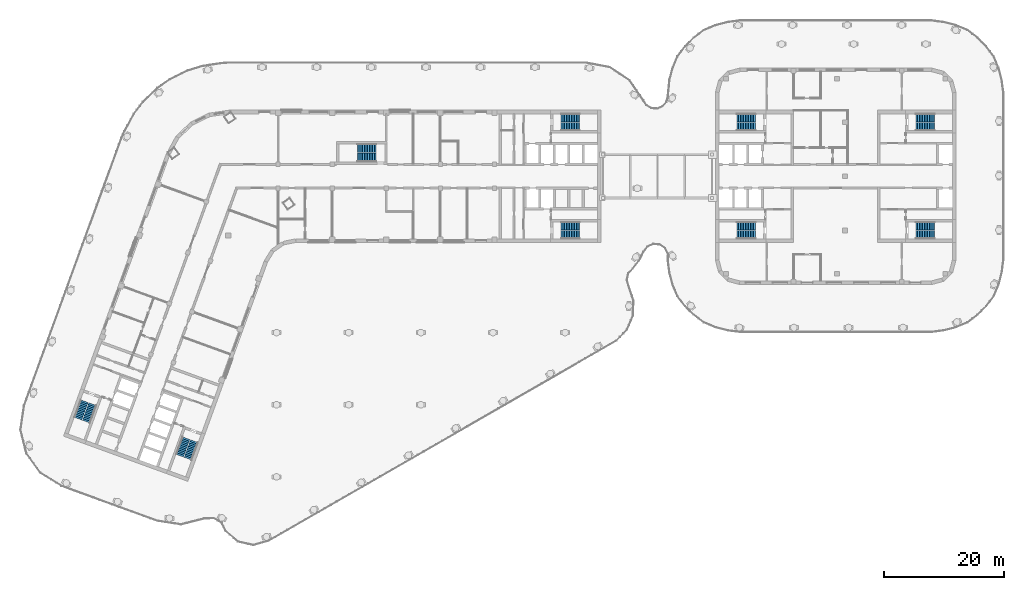
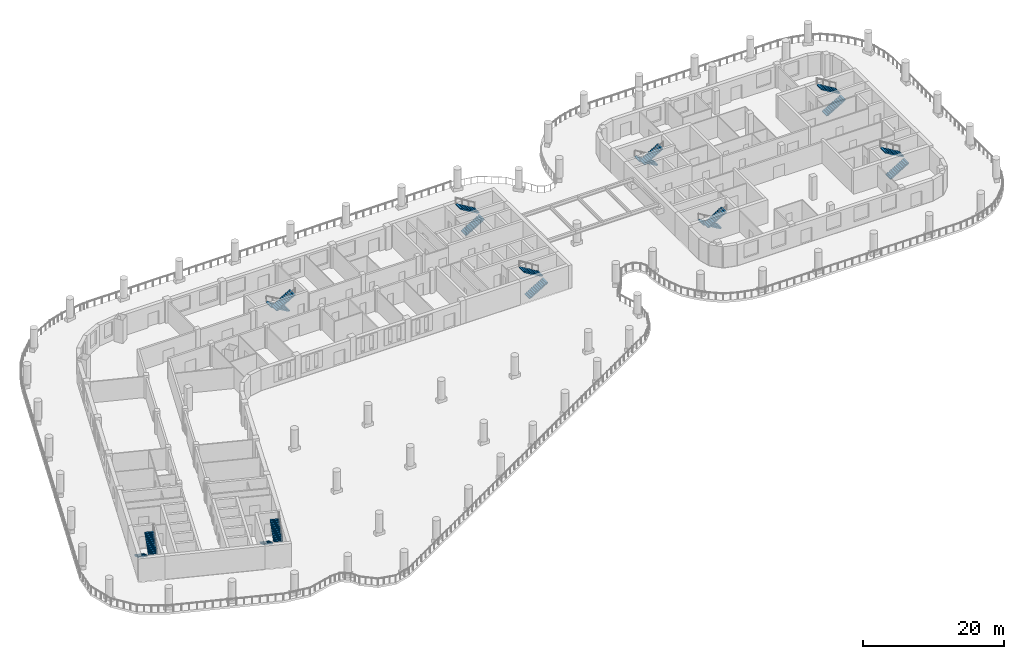
# One storey, part 12 of 18: 18 stair flights, 9 elements without a shape of their own.
"""IFC4 building model written with IfcOpenShell, lengths in metres."""

from ifc_helpers import new_model, si_unit, direction, frame, origin, place, context, subcontext, project, spatial, polyline, outline, extrude, material, type_object, element, aggregate, save


model = new_model("IFC4")

# Units and contexts
model_context = context("Model", 3, precision=1e-05, world=origin(), true_north=direction((0.0, 1.0)))
body_context = subcontext(model_context, "Body", "Model", "MODEL_VIEW")
ifc_project = project(units=[si_unit("LENGTHUNIT", "METRE"), si_unit("AREAUNIT", "SQUARE_METRE"), si_unit("VOLUMEUNIT", "CUBIC_METRE"), si_unit("PLANEANGLEUNIT", "RADIAN"), si_unit("MASSUNIT", "GRAM", prefix="KILO")], contexts=[model_context])

# Site, building, storey
site_placement = place(None, origin())
site = spatial("IfcSite", under=ifc_project, at=site_placement, CompositionType="ELEMENT")
building_placement = place(site_placement, origin())
building = spatial("IfcBuilding", under=site, at=building_placement, Name="Skarvind Civic Tower", CompositionType="ELEMENT")
storey_placement = place(building_placement, frame((0.0, 0.0, 27.5)))
storey = spatial("IfcBuildingStorey", under=building, at=storey_placement, Name="L05", CompositionType="ELEMENT", Elevation=27.5)

# Stair, stair flights
ifc_material = material(Name="Concrete C40/50", Category="concrete")
stair_type_1 = type_object("IfcStairType", Name="Exit stair 1450, half-turn, concrete", PredefinedType="HALF_TURN_STAIR", material=ifc_material)
stair_1_placement = place(storey_placement, origin())
stair_1 = element("IfcStair", 1, at=stair_1_placement, inside=storey, type_object=stair_type_1, Name="Exit stair CM", PredefinedType="HALF_TURN_STAIR")
stair_flight_type_1 = type_object("IfcStairFlightType", Name="Stair flight 1450, concrete", PredefinedType="STRAIGHT", material=ifc_material)
stair_flight_1_placement = place(storey_placement, frame((70.550048828125, 132.675048828125, 0.0), z_axis=(0.0, 0.0, 1.0), x_axis=(-1.0, 0.0, 0.0)))
stair_flight_1 = element("IfcStairFlight", 2, at=stair_flight_1_placement, type_object=stair_flight_type_1, Name="ST-CM flight 1", NumberOfRisers=12, NumberOfTreads=11, PredefinedType="STRAIGHT", RiserHeight=0.166666667, TreadLength=0.28, context=body_context, shape_type="SweptSolid", body=[
    extrude(outline(polyline([(0.0, 0.0), (0.0, 0.166748046875), (0.280029296875, 0.166748046875), (0.280029296875, 0.333251953125), (0.56005859375, 0.333251953125), (0.56005859375, 0.5), (0.840087890625, 0.5), (0.840087890625, 0.666748046875), (1.1201171875, 0.666748046875), (1.1201171875, 0.833251953125), (1.39990234375, 0.833251953125), (1.39990234375, 1.0), (1.679931640625, 1.0), (1.679931640625, 1.166748046875), (1.9599609375, 1.166748046875), (1.9599609375, 1.333251953125), (2.239990234375, 1.333251953125), (2.239990234375, 1.5), (2.52001953125, 1.5), (2.52001953125, 1.666748046875), (2.800048828125, 1.666748046875), (2.800048828125, 1.833251953125), (3.080078125, 1.833251953125), (3.080078125, 2.0), (3.080078125, 1.658935546875), (0.29296875, 0.0), (0.0, 0.0)])), frame((0.0, 0.72509765625, 0.0), z_axis=(0.0, -1.0, 0.0), x_axis=(1.0, 0.0, 0.0)), (0.0, 0.0, 1.0), 1.449951171875),
])
stair_flight_2_placement = place(storey_placement, frame((67.469970703125, 131.125, 2.0), z_axis=(0.0, 0.0, 1.0), x_axis=(1.0, 0.0, 0.0)))
stair_flight_2 = element("IfcStairFlight", 3, at=stair_flight_2_placement, type_object=stair_flight_type_1, Name="ST-CM flight 2", NumberOfRisers=12, NumberOfTreads=11, PredefinedType="STRAIGHT", RiserHeight=0.166666667, TreadLength=0.28, context=body_context, shape_type="SweptSolid", body=[
    extrude(outline(polyline([(0.0, 0.0), (0.0, 0.166748046875), (0.280029296875, 0.166748046875), (0.280029296875, 0.333251953125), (0.56005859375, 0.333251953125), (0.56005859375, 0.5), (0.840087890625, 0.5), (0.840087890625, 0.666748046875), (1.1201171875, 0.666748046875), (1.1201171875, 0.833251953125), (1.39990234375, 0.833251953125), (1.39990234375, 1.0), (1.679931640625, 1.0), (1.679931640625, 1.166748046875), (1.9599609375, 1.166748046875), (1.9599609375, 1.333251953125), (2.239990234375, 1.333251953125), (2.239990234375, 1.5), (2.52001953125, 1.5), (2.52001953125, 1.666748046875), (2.800048828125, 1.666748046875), (2.800048828125, 1.833251953125), (3.080078125, 1.833251953125), (3.080078125, 2.0), (3.080078125, 1.658935546875), (0.29296875, 0.0), (0.0, 0.0)])), frame((0.0, 0.72509765625, 0.0), z_axis=(0.0, -1.0, 0.0), x_axis=(1.0, 0.0, 0.0)), (0.0, 0.0, 1.0), 1.449951171875),
])
aggregate(stair_1, [stair_flight_1, stair_flight_2])

stair_type_2 = type_object("IfcStairType", Name="Exit stair, half-turn, concrete", PredefinedType="HALF_TURN_STAIR", material=ifc_material)
stair_2_placement = place(storey_placement, origin())
stair_2 = element("IfcStair", 4, at=stair_2_placement, inside=storey, type_object=stair_type_2, Name="Exit stair C1S", PredefinedType="HALF_TURN_STAIR")
stair_flight_type_2 = type_object("IfcStairFlightType", Name="Stair flight, concrete", PredefinedType="STRAIGHT", material=ifc_material)
stair_flight_3_placement = place(storey_placement, frame((101.35009765625, 136.27490234375, 0.0), z_axis=(0.0, 0.0, 1.0), x_axis=(1.0, 0.0, 0.0)))
stair_flight_3 = element("IfcStairFlight", 5, at=stair_flight_3_placement, type_object=stair_flight_type_2, Name="ST-C1S flight 1", NumberOfRisers=12, NumberOfTreads=11, PredefinedType="STRAIGHT", RiserHeight=0.166666667, TreadLength=0.28, context=body_context, shape_type="SweptSolid", body=[
    extrude(outline(polyline([(0.0, 0.0), (0.0, 0.166748046875), (0.280029296875, 0.166748046875), (0.280029296875, 0.333251953125), (0.56005859375, 0.333251953125), (0.56005859375, 0.5), (0.840087890625, 0.5), (0.840087890625, 0.666748046875), (1.1201171875, 0.666748046875), (1.1201171875, 0.833251953125), (1.39990234375, 0.833251953125), (1.39990234375, 1.0), (1.679931640625, 1.0), (1.679931640625, 1.166748046875), (1.9599609375, 1.166748046875), (1.9599609375, 1.333251953125), (2.239990234375, 1.333251953125), (2.239990234375, 1.5), (2.52001953125, 1.5), (2.52001953125, 1.666748046875), (2.800048828125, 1.666748046875), (2.800048828125, 1.833251953125), (3.080078125, 1.833251953125), (3.080078125, 2.0), (3.080078125, 1.658935546875), (0.29296875, 0.0), (0.0, 0.0)])), frame((0.0, 0.675048828125, 0.0), z_axis=(0.0, -1.0, 0.0), x_axis=(1.0, 0.0, 0.0)), (0.0, 0.0, 1.0), 1.35009765625),
])
stair_flight_4_placement = place(storey_placement, frame((104.429931640625, 137.72509765625, 2.0), z_axis=(0.0, 0.0, 1.0), x_axis=(-1.0, 0.0, 0.0)))
stair_flight_4 = element("IfcStairFlight", 6, at=stair_flight_4_placement, type_object=stair_flight_type_2, Name="ST-C1S flight 2", NumberOfRisers=12, NumberOfTreads=11, PredefinedType="STRAIGHT", RiserHeight=0.166666667, TreadLength=0.28, context=body_context, shape_type="SweptSolid", body=[
    extrude(outline(polyline([(0.0, 0.0), (0.0, 0.166748046875), (0.280029296875, 0.166748046875), (0.280029296875, 0.333251953125), (0.56005859375, 0.333251953125), (0.56005859375, 0.5), (0.840087890625, 0.5), (0.840087890625, 0.666748046875), (1.1201171875, 0.666748046875), (1.1201171875, 0.833251953125), (1.39990234375, 0.833251953125), (1.39990234375, 1.0), (1.679931640625, 1.0), (1.679931640625, 1.166748046875), (1.9599609375, 1.166748046875), (1.9599609375, 1.333251953125), (2.239990234375, 1.333251953125), (2.239990234375, 1.5), (2.52001953125, 1.5), (2.52001953125, 1.666748046875), (2.800048828125, 1.666748046875), (2.800048828125, 1.833251953125), (3.080078125, 1.833251953125), (3.080078125, 2.0), (3.080078125, 1.658935546875), (0.29296875, 0.0), (0.0, 0.0)])), frame((0.0, 0.675048828125, 0.0), z_axis=(0.0, -1.0, 0.0), x_axis=(1.0, 0.0, 0.0)), (0.0, 0.0, 1.0), 1.35009765625),
])
aggregate(stair_2, [stair_flight_3, stair_flight_4])

stair_3_placement = place(storey_placement, origin())
stair_3 = element("IfcStair", 7, at=stair_3_placement, inside=storey, type_object=stair_type_2, Name="Exit stair C1N", PredefinedType="HALF_TURN_STAIR")
stair_flight_5_placement = place(storey_placement, frame((101.35009765625, 118.27490234375, 0.0), z_axis=(0.0, 0.0, 1.0), x_axis=(1.0, 0.0, 0.0)))
stair_flight_5 = element("IfcStairFlight", 8, at=stair_flight_5_placement, type_object=stair_flight_type_2, Name="ST-C1N flight 1", NumberOfRisers=12, NumberOfTreads=11, PredefinedType="STRAIGHT", RiserHeight=0.166666667, TreadLength=0.28, context=body_context, shape_type="SweptSolid", body=[
    extrude(outline(polyline([(0.0, 0.0), (0.0, 0.166748046875), (0.280029296875, 0.166748046875), (0.280029296875, 0.333251953125), (0.56005859375, 0.333251953125), (0.56005859375, 0.5), (0.840087890625, 0.5), (0.840087890625, 0.666748046875), (1.1201171875, 0.666748046875), (1.1201171875, 0.833251953125), (1.39990234375, 0.833251953125), (1.39990234375, 1.0), (1.679931640625, 1.0), (1.679931640625, 1.166748046875), (1.9599609375, 1.166748046875), (1.9599609375, 1.333251953125), (2.239990234375, 1.333251953125), (2.239990234375, 1.5), (2.52001953125, 1.5), (2.52001953125, 1.666748046875), (2.800048828125, 1.666748046875), (2.800048828125, 1.833251953125), (3.080078125, 1.833251953125), (3.080078125, 2.0), (3.080078125, 1.658935546875), (0.29296875, 0.0), (0.0, 0.0)])), frame((0.0, 0.675048828125, 0.0), z_axis=(0.0, -1.0, 0.0), x_axis=(1.0, 0.0, 0.0)), (0.0, 0.0, 1.0), 1.35009765625),
])
stair_flight_6_placement = place(storey_placement, frame((104.429931640625, 119.72509765625, 2.0), z_axis=(0.0, 0.0, 1.0), x_axis=(-1.0, 0.0, 0.0)))
stair_flight_6 = element("IfcStairFlight", 9, at=stair_flight_6_placement, type_object=stair_flight_type_2, Name="ST-C1N flight 2", NumberOfRisers=12, NumberOfTreads=11, PredefinedType="STRAIGHT", RiserHeight=0.166666667, TreadLength=0.28, context=body_context, shape_type="SweptSolid", body=[
    extrude(outline(polyline([(0.0, 0.0), (0.0, 0.166748046875), (0.280029296875, 0.166748046875), (0.280029296875, 0.333251953125), (0.56005859375, 0.333251953125), (0.56005859375, 0.5), (0.840087890625, 0.5), (0.840087890625, 0.666748046875), (1.1201171875, 0.666748046875), (1.1201171875, 0.833251953125), (1.39990234375, 0.833251953125), (1.39990234375, 1.0), (1.679931640625, 1.0), (1.679931640625, 1.166748046875), (1.9599609375, 1.166748046875), (1.9599609375, 1.333251953125), (2.239990234375, 1.333251953125), (2.239990234375, 1.5), (2.52001953125, 1.5), (2.52001953125, 1.666748046875), (2.800048828125, 1.666748046875), (2.800048828125, 1.833251953125), (3.080078125, 1.833251953125), (3.080078125, 2.0), (3.080078125, 1.658935546875), (0.29296875, 0.0), (0.0, 0.0)])), frame((0.0, 0.675048828125, 0.0), z_axis=(0.0, -1.0, 0.0), x_axis=(1.0, 0.0, 0.0)), (0.0, 0.0, 1.0), 1.35009765625),
])
aggregate(stair_3, [stair_flight_5, stair_flight_6])

stair_4_placement = place(storey_placement, origin())
stair_4 = element("IfcStair", 10, at=stair_4_placement, inside=storey, type_object=stair_type_2, Name="Exit stair C2S", PredefinedType="HALF_TURN_STAIR")
stair_flight_7_placement = place(storey_placement, frame((38.949462890625, 84.43408203125, 0.0), z_axis=(0.0, 0.0, 1.0), x_axis=(-0.342020143326, -0.939692620786, 0.0)))
stair_flight_7 = element("IfcStairFlight", 11, at=stair_flight_7_placement, type_object=stair_flight_type_2, Name="ST-C2S flight 1", NumberOfRisers=12, NumberOfTreads=11, PredefinedType="STRAIGHT", RiserHeight=0.166666667, TreadLength=0.28, context=body_context, shape_type="SweptSolid", body=[
    extrude(outline(polyline([(0.0, 0.0), (0.0, 0.166748046875), (0.280029296875, 0.166748046875), (0.280029296875, 0.333251953125), (0.56005859375, 0.333251953125), (0.56005859375, 0.5), (0.840087890625, 0.5), (0.840087890625, 0.666748046875), (1.1201171875, 0.666748046875), (1.1201171875, 0.833251953125), (1.39990234375, 0.833251953125), (1.39990234375, 1.0), (1.679931640625, 1.0), (1.679931640625, 1.166748046875), (1.9599609375, 1.166748046875), (1.9599609375, 1.333251953125), (2.239990234375, 1.333251953125), (2.239990234375, 1.5), (2.52001953125, 1.5), (2.52001953125, 1.666748046875), (2.800048828125, 1.666748046875), (2.800048828125, 1.833251953125), (3.080078125, 1.833251953125), (3.080078125, 2.0), (3.080078125, 1.658935546875), (0.29296875, 0.0), (0.0, 0.0)])), frame((0.0, 0.675048828125, 0.0), z_axis=(0.0, -1.0, 0.0), x_axis=(1.0, 0.0, 0.0)), (0.0, 0.0, 1.0), 1.35009765625),
])
stair_flight_8_placement = place(storey_placement, frame((39.258544921875, 81.0439453125, 2.0), z_axis=(0.0, 0.0, 1.0), x_axis=(0.342020143326, 0.939692620786, 0.0)))
stair_flight_8 = element("IfcStairFlight", 12, at=stair_flight_8_placement, type_object=stair_flight_type_2, Name="ST-C2S flight 2", NumberOfRisers=12, NumberOfTreads=11, PredefinedType="STRAIGHT", RiserHeight=0.166666667, TreadLength=0.28, context=body_context, shape_type="SweptSolid", body=[
    extrude(outline(polyline([(0.0, 0.0), (0.0, 0.166748046875), (0.280029296875, 0.166748046875), (0.280029296875, 0.333251953125), (0.56005859375, 0.333251953125), (0.56005859375, 0.5), (0.840087890625, 0.5), (0.840087890625, 0.666748046875), (1.1201171875, 0.666748046875), (1.1201171875, 0.833251953125), (1.39990234375, 0.833251953125), (1.39990234375, 1.0), (1.679931640625, 1.0), (1.679931640625, 1.166748046875), (1.9599609375, 1.166748046875), (1.9599609375, 1.333251953125), (2.239990234375, 1.333251953125), (2.239990234375, 1.5), (2.52001953125, 1.5), (2.52001953125, 1.666748046875), (2.800048828125, 1.666748046875), (2.800048828125, 1.833251953125), (3.080078125, 1.833251953125), (3.080078125, 2.0), (3.080078125, 1.658935546875), (0.29296875, 0.0), (0.0, 0.0)])), frame((0.0, 0.675048828125, 0.0), z_axis=(0.0, -1.0, 0.0), x_axis=(1.0, 0.0, 0.0)), (0.0, 0.0, 1.0), 1.35009765625),
])
aggregate(stair_4, [stair_flight_7, stair_flight_8])

stair_5_placement = place(storey_placement, origin())
stair_5 = element("IfcStair", 13, at=stair_5_placement, inside=storey, type_object=stair_type_2, Name="Exit stair C2N", PredefinedType="HALF_TURN_STAIR")
stair_flight_9_placement = place(storey_placement, frame((22.034912109375, 90.590576171875, 0.0), z_axis=(0.0, 0.0, 1.0), x_axis=(-0.342020143326, -0.939692620786, 0.0)))
stair_flight_9 = element("IfcStairFlight", 14, at=stair_flight_9_placement, type_object=stair_flight_type_2, Name="ST-C2N flight 1", NumberOfRisers=12, NumberOfTreads=11, PredefinedType="STRAIGHT", RiserHeight=0.166666667, TreadLength=0.28, context=body_context, shape_type="SweptSolid", body=[
    extrude(outline(polyline([(0.0, 0.0), (0.0, 0.166748046875), (0.280029296875, 0.166748046875), (0.280029296875, 0.333251953125), (0.56005859375, 0.333251953125), (0.56005859375, 0.5), (0.840087890625, 0.5), (0.840087890625, 0.666748046875), (1.1201171875, 0.666748046875), (1.1201171875, 0.833251953125), (1.39990234375, 0.833251953125), (1.39990234375, 1.0), (1.679931640625, 1.0), (1.679931640625, 1.166748046875), (1.9599609375, 1.166748046875), (1.9599609375, 1.333251953125), (2.239990234375, 1.333251953125), (2.239990234375, 1.5), (2.52001953125, 1.5), (2.52001953125, 1.666748046875), (2.800048828125, 1.666748046875), (2.800048828125, 1.833251953125), (3.080078125, 1.833251953125), (3.080078125, 2.0), (3.080078125, 1.658935546875), (0.29296875, 0.0), (0.0, 0.0)])), frame((0.0, 0.675048828125, 0.0), z_axis=(0.0, -1.0, 0.0), x_axis=(1.0, 0.0, 0.0)), (0.0, 0.0, 1.0), 1.35009765625),
])
stair_flight_10_placement = place(storey_placement, frame((22.343994140625, 87.2001953125, 2.0), z_axis=(0.0, 0.0, 1.0), x_axis=(0.342020143326, 0.939692620786, 0.0)))
stair_flight_10 = element("IfcStairFlight", 15, at=stair_flight_10_placement, type_object=stair_flight_type_2, Name="ST-C2N flight 2", NumberOfRisers=12, NumberOfTreads=11, PredefinedType="STRAIGHT", RiserHeight=0.166666667, TreadLength=0.28, context=body_context, shape_type="SweptSolid", body=[
    extrude(outline(polyline([(0.0, 0.0), (0.0, 0.166748046875), (0.280029296875, 0.166748046875), (0.280029296875, 0.333251953125), (0.56005859375, 0.333251953125), (0.56005859375, 0.5), (0.840087890625, 0.5), (0.840087890625, 0.666748046875), (1.1201171875, 0.666748046875), (1.1201171875, 0.833251953125), (1.39990234375, 0.833251953125), (1.39990234375, 1.0), (1.679931640625, 1.0), (1.679931640625, 1.166748046875), (1.9599609375, 1.166748046875), (1.9599609375, 1.333251953125), (2.239990234375, 1.333251953125), (2.239990234375, 1.5), (2.52001953125, 1.5), (2.52001953125, 1.666748046875), (2.800048828125, 1.666748046875), (2.800048828125, 1.833251953125), (3.080078125, 1.833251953125), (3.080078125, 2.0), (3.080078125, 1.658935546875), (0.29296875, 0.0), (0.0, 0.0)])), frame((0.0, 0.675048828125, 0.0), z_axis=(0.0, -1.0, 0.0), x_axis=(1.0, 0.0, 0.0)), (0.0, 0.0, 1.0), 1.35009765625),
])
aggregate(stair_5, [stair_flight_9, stair_flight_10])

stair_6_placement = place(storey_placement, origin())
stair_6 = element("IfcStair", 16, at=stair_6_placement, inside=storey, type_object=stair_type_2, Name="Exit stair CAS", PredefinedType="HALF_TURN_STAIR")
stair_flight_11_placement = place(storey_placement, frame((133.64990234375, 119.72509765625, 0.0), z_axis=(0.0, 0.0, 1.0), x_axis=(-1.0, 0.0, 0.0)))
stair_flight_11 = element("IfcStairFlight", 17, at=stair_flight_11_placement, type_object=stair_flight_type_2, Name="ST-CAS flight 1", NumberOfRisers=12, NumberOfTreads=11, PredefinedType="STRAIGHT", RiserHeight=0.166666667, TreadLength=0.28, context=body_context, shape_type="SweptSolid", body=[
    extrude(outline(polyline([(0.0, 0.0), (0.0, 0.166748046875), (0.280029296875, 0.166748046875), (0.280029296875, 0.333251953125), (0.56005859375, 0.333251953125), (0.56005859375, 0.5), (0.840087890625, 0.5), (0.840087890625, 0.666748046875), (1.1201171875, 0.666748046875), (1.1201171875, 0.833251953125), (1.39990234375, 0.833251953125), (1.39990234375, 1.0), (1.679931640625, 1.0), (1.679931640625, 1.166748046875), (1.9599609375, 1.166748046875), (1.9599609375, 1.333251953125), (2.239990234375, 1.333251953125), (2.239990234375, 1.5), (2.52001953125, 1.5), (2.52001953125, 1.666748046875), (2.800048828125, 1.666748046875), (2.800048828125, 1.833251953125), (3.080078125, 1.833251953125), (3.080078125, 2.0), (3.080078125, 1.658935546875), (0.29296875, 0.0), (0.0, 0.0)])), frame((0.0, 0.675048828125, 0.0), z_axis=(0.0, -1.0, 0.0), x_axis=(1.0, 0.0, 0.0)), (0.0, 0.0, 1.0), 1.35009765625),
])
stair_flight_12_placement = place(storey_placement, frame((130.570068359375, 118.27490234375, 2.0), z_axis=(0.0, 0.0, 1.0), x_axis=(1.0, 0.0, 0.0)))
stair_flight_12 = element("IfcStairFlight", 18, at=stair_flight_12_placement, type_object=stair_flight_type_2, Name="ST-CAS flight 2", NumberOfRisers=12, NumberOfTreads=11, PredefinedType="STRAIGHT", RiserHeight=0.166666667, TreadLength=0.28, context=body_context, shape_type="SweptSolid", body=[
    extrude(outline(polyline([(0.0, 0.0), (0.0, 0.166748046875), (0.280029296875, 0.166748046875), (0.280029296875, 0.333251953125), (0.56005859375, 0.333251953125), (0.56005859375, 0.5), (0.840087890625, 0.5), (0.840087890625, 0.666748046875), (1.1201171875, 0.666748046875), (1.1201171875, 0.833251953125), (1.39990234375, 0.833251953125), (1.39990234375, 1.0), (1.679931640625, 1.0), (1.679931640625, 1.166748046875), (1.9599609375, 1.166748046875), (1.9599609375, 1.333251953125), (2.239990234375, 1.333251953125), (2.239990234375, 1.5), (2.52001953125, 1.5), (2.52001953125, 1.666748046875), (2.800048828125, 1.666748046875), (2.800048828125, 1.833251953125), (3.080078125, 1.833251953125), (3.080078125, 2.0), (3.080078125, 1.658935546875), (0.29296875, 0.0), (0.0, 0.0)])), frame((0.0, 0.675048828125, 0.0), z_axis=(0.0, -1.0, 0.0), x_axis=(1.0, 0.0, 0.0)), (0.0, 0.0, 1.0), 1.35009765625),
])
aggregate(stair_6, [stair_flight_11, stair_flight_12])

stair_7_placement = place(storey_placement, origin())
stair_7 = element("IfcStair", 19, at=stair_7_placement, inside=storey, type_object=stair_type_2, Name="Exit stair CAN", PredefinedType="HALF_TURN_STAIR")
stair_flight_13_placement = place(storey_placement, frame((133.64990234375, 137.72509765625, 0.0), z_axis=(0.0, 0.0, 1.0), x_axis=(-1.0, 0.0, 0.0)))
stair_flight_13 = element("IfcStairFlight", 20, at=stair_flight_13_placement, type_object=stair_flight_type_2, Name="ST-CAN flight 1", NumberOfRisers=12, NumberOfTreads=11, PredefinedType="STRAIGHT", RiserHeight=0.166666667, TreadLength=0.28, context=body_context, shape_type="SweptSolid", body=[
    extrude(outline(polyline([(0.0, 0.0), (0.0, 0.166748046875), (0.280029296875, 0.166748046875), (0.280029296875, 0.333251953125), (0.56005859375, 0.333251953125), (0.56005859375, 0.5), (0.840087890625, 0.5), (0.840087890625, 0.666748046875), (1.1201171875, 0.666748046875), (1.1201171875, 0.833251953125), (1.39990234375, 0.833251953125), (1.39990234375, 1.0), (1.679931640625, 1.0), (1.679931640625, 1.166748046875), (1.9599609375, 1.166748046875), (1.9599609375, 1.333251953125), (2.239990234375, 1.333251953125), (2.239990234375, 1.5), (2.52001953125, 1.5), (2.52001953125, 1.666748046875), (2.800048828125, 1.666748046875), (2.800048828125, 1.833251953125), (3.080078125, 1.833251953125), (3.080078125, 2.0), (3.080078125, 1.658935546875), (0.29296875, 0.0), (0.0, 0.0)])), frame((0.0, 0.675048828125, 0.0), z_axis=(0.0, -1.0, 0.0), x_axis=(1.0, 0.0, 0.0)), (0.0, 0.0, 1.0), 1.35009765625),
])
stair_flight_14_placement = place(storey_placement, frame((130.570068359375, 136.27490234375, 2.0), z_axis=(0.0, 0.0, 1.0), x_axis=(1.0, 0.0, 0.0)))
stair_flight_14 = element("IfcStairFlight", 21, at=stair_flight_14_placement, type_object=stair_flight_type_2, Name="ST-CAN flight 2", NumberOfRisers=12, NumberOfTreads=11, PredefinedType="STRAIGHT", RiserHeight=0.166666667, TreadLength=0.28, context=body_context, shape_type="SweptSolid", body=[
    extrude(outline(polyline([(0.0, 0.0), (0.0, 0.166748046875), (0.280029296875, 0.166748046875), (0.280029296875, 0.333251953125), (0.56005859375, 0.333251953125), (0.56005859375, 0.5), (0.840087890625, 0.5), (0.840087890625, 0.666748046875), (1.1201171875, 0.666748046875), (1.1201171875, 0.833251953125), (1.39990234375, 0.833251953125), (1.39990234375, 1.0), (1.679931640625, 1.0), (1.679931640625, 1.166748046875), (1.9599609375, 1.166748046875), (1.9599609375, 1.333251953125), (2.239990234375, 1.333251953125), (2.239990234375, 1.5), (2.52001953125, 1.5), (2.52001953125, 1.666748046875), (2.800048828125, 1.666748046875), (2.800048828125, 1.833251953125), (3.080078125, 1.833251953125), (3.080078125, 2.0), (3.080078125, 1.658935546875), (0.29296875, 0.0), (0.0, 0.0)])), frame((0.0, 0.675048828125, 0.0), z_axis=(0.0, -1.0, 0.0), x_axis=(1.0, 0.0, 0.0)), (0.0, 0.0, 1.0), 1.35009765625),
])
aggregate(stair_7, [stair_flight_13, stair_flight_14])

stair_8_placement = place(storey_placement, origin())
stair_8 = element("IfcStair", 22, at=stair_8_placement, inside=storey, type_object=stair_type_2, Name="Exit stair CBS", PredefinedType="HALF_TURN_STAIR")
stair_flight_15_placement = place(storey_placement, frame((160.35009765625, 136.27490234375, 0.0), z_axis=(0.0, 0.0, 1.0), x_axis=(1.0, 0.0, 0.0)))
stair_flight_15 = element("IfcStairFlight", 23, at=stair_flight_15_placement, type_object=stair_flight_type_2, Name="ST-CBS flight 1", NumberOfRisers=12, NumberOfTreads=11, PredefinedType="STRAIGHT", RiserHeight=0.166666667, TreadLength=0.28, context=body_context, shape_type="SweptSolid", body=[
    extrude(outline(polyline([(0.0, 0.0), (0.0, 0.166748046875), (0.280029296875, 0.166748046875), (0.280029296875, 0.333251953125), (0.56005859375, 0.333251953125), (0.56005859375, 0.5), (0.840087890625, 0.5), (0.840087890625, 0.666748046875), (1.1201171875, 0.666748046875), (1.1201171875, 0.833251953125), (1.39990234375, 0.833251953125), (1.39990234375, 1.0), (1.679931640625, 1.0), (1.679931640625, 1.166748046875), (1.9599609375, 1.166748046875), (1.9599609375, 1.333251953125), (2.239990234375, 1.333251953125), (2.239990234375, 1.5), (2.52001953125, 1.5), (2.52001953125, 1.666748046875), (2.800048828125, 1.666748046875), (2.800048828125, 1.833251953125), (3.080078125, 1.833251953125), (3.080078125, 2.0), (3.080078125, 1.658935546875), (0.29296875, 0.0), (0.0, 0.0)])), frame((0.0, 0.675048828125, 0.0), z_axis=(0.0, -1.0, 0.0), x_axis=(1.0, 0.0, 0.0)), (0.0, 0.0, 1.0), 1.35009765625),
])
stair_flight_16_placement = place(storey_placement, frame((163.429931640625, 137.72509765625, 2.0), z_axis=(0.0, 0.0, 1.0), x_axis=(-1.0, 0.0, 0.0)))
stair_flight_16 = element("IfcStairFlight", 24, at=stair_flight_16_placement, type_object=stair_flight_type_2, Name="ST-CBS flight 2", NumberOfRisers=12, NumberOfTreads=11, PredefinedType="STRAIGHT", RiserHeight=0.166666667, TreadLength=0.28, context=body_context, shape_type="SweptSolid", body=[
    extrude(outline(polyline([(0.0, 0.0), (0.0, 0.166748046875), (0.280029296875, 0.166748046875), (0.280029296875, 0.333251953125), (0.56005859375, 0.333251953125), (0.56005859375, 0.5), (0.840087890625, 0.5), (0.840087890625, 0.666748046875), (1.1201171875, 0.666748046875), (1.1201171875, 0.833251953125), (1.39990234375, 0.833251953125), (1.39990234375, 1.0), (1.679931640625, 1.0), (1.679931640625, 1.166748046875), (1.9599609375, 1.166748046875), (1.9599609375, 1.333251953125), (2.239990234375, 1.333251953125), (2.239990234375, 1.5), (2.52001953125, 1.5), (2.52001953125, 1.666748046875), (2.800048828125, 1.666748046875), (2.800048828125, 1.833251953125), (3.080078125, 1.833251953125), (3.080078125, 2.0), (3.080078125, 1.658935546875), (0.29296875, 0.0), (0.0, 0.0)])), frame((0.0, 0.675048828125, 0.0), z_axis=(0.0, -1.0, 0.0), x_axis=(1.0, 0.0, 0.0)), (0.0, 0.0, 1.0), 1.35009765625),
])
aggregate(stair_8, [stair_flight_15, stair_flight_16])

stair_9_placement = place(storey_placement, origin())
stair_9 = element("IfcStair", 25, at=stair_9_placement, inside=storey, type_object=stair_type_2, Name="Exit stair CBN", PredefinedType="HALF_TURN_STAIR")
stair_flight_17_placement = place(storey_placement, frame((160.35009765625, 118.27490234375, 0.0), z_axis=(0.0, 0.0, 1.0), x_axis=(1.0, 0.0, 0.0)))
stair_flight_17 = element("IfcStairFlight", 26, at=stair_flight_17_placement, type_object=stair_flight_type_2, Name="ST-CBN flight 1", NumberOfRisers=12, NumberOfTreads=11, PredefinedType="STRAIGHT", RiserHeight=0.166666667, TreadLength=0.28, context=body_context, shape_type="SweptSolid", body=[
    extrude(outline(polyline([(0.0, 0.0), (0.0, 0.166748046875), (0.280029296875, 0.166748046875), (0.280029296875, 0.333251953125), (0.56005859375, 0.333251953125), (0.56005859375, 0.5), (0.840087890625, 0.5), (0.840087890625, 0.666748046875), (1.1201171875, 0.666748046875), (1.1201171875, 0.833251953125), (1.39990234375, 0.833251953125), (1.39990234375, 1.0), (1.679931640625, 1.0), (1.679931640625, 1.166748046875), (1.9599609375, 1.166748046875), (1.9599609375, 1.333251953125), (2.239990234375, 1.333251953125), (2.239990234375, 1.5), (2.52001953125, 1.5), (2.52001953125, 1.666748046875), (2.800048828125, 1.666748046875), (2.800048828125, 1.833251953125), (3.080078125, 1.833251953125), (3.080078125, 2.0), (3.080078125, 1.658935546875), (0.29296875, 0.0), (0.0, 0.0)])), frame((0.0, 0.675048828125, 0.0), z_axis=(0.0, -1.0, 0.0), x_axis=(1.0, 0.0, 0.0)), (0.0, 0.0, 1.0), 1.35009765625),
])
stair_flight_18_placement = place(storey_placement, frame((163.429931640625, 119.72509765625, 2.0), z_axis=(0.0, 0.0, 1.0), x_axis=(-1.0, 0.0, 0.0)))
stair_flight_18 = element("IfcStairFlight", 27, at=stair_flight_18_placement, type_object=stair_flight_type_2, Name="ST-CBN flight 2", NumberOfRisers=12, NumberOfTreads=11, PredefinedType="STRAIGHT", RiserHeight=0.166666667, TreadLength=0.28, context=body_context, shape_type="SweptSolid", body=[
    extrude(outline(polyline([(0.0, 0.0), (0.0, 0.166748046875), (0.280029296875, 0.166748046875), (0.280029296875, 0.333251953125), (0.56005859375, 0.333251953125), (0.56005859375, 0.5), (0.840087890625, 0.5), (0.840087890625, 0.666748046875), (1.1201171875, 0.666748046875), (1.1201171875, 0.833251953125), (1.39990234375, 0.833251953125), (1.39990234375, 1.0), (1.679931640625, 1.0), (1.679931640625, 1.166748046875), (1.9599609375, 1.166748046875), (1.9599609375, 1.333251953125), (2.239990234375, 1.333251953125), (2.239990234375, 1.5), (2.52001953125, 1.5), (2.52001953125, 1.666748046875), (2.800048828125, 1.666748046875), (2.800048828125, 1.833251953125), (3.080078125, 1.833251953125), (3.080078125, 2.0), (3.080078125, 1.658935546875), (0.29296875, 0.0), (0.0, 0.0)])), frame((0.0, 0.675048828125, 0.0), z_axis=(0.0, -1.0, 0.0), x_axis=(1.0, 0.0, 0.0)), (0.0, 0.0, 1.0), 1.35009765625),
])
aggregate(stair_9, [stair_flight_17, stair_flight_18])

save(model, "model.ifc")
